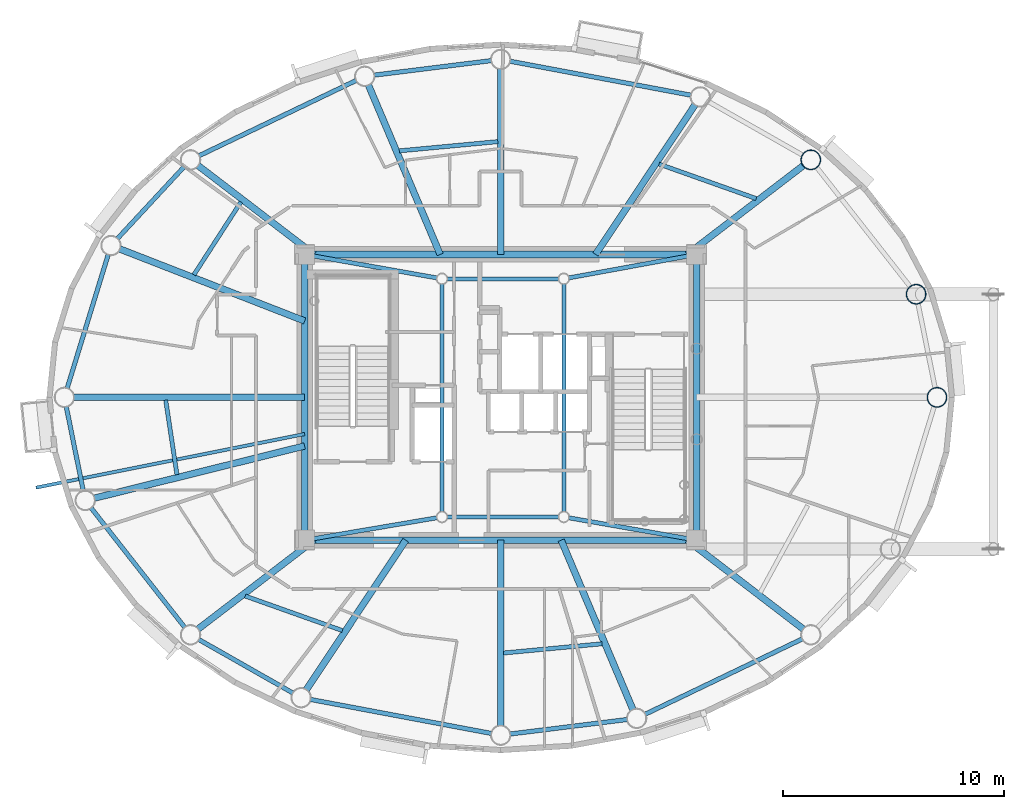
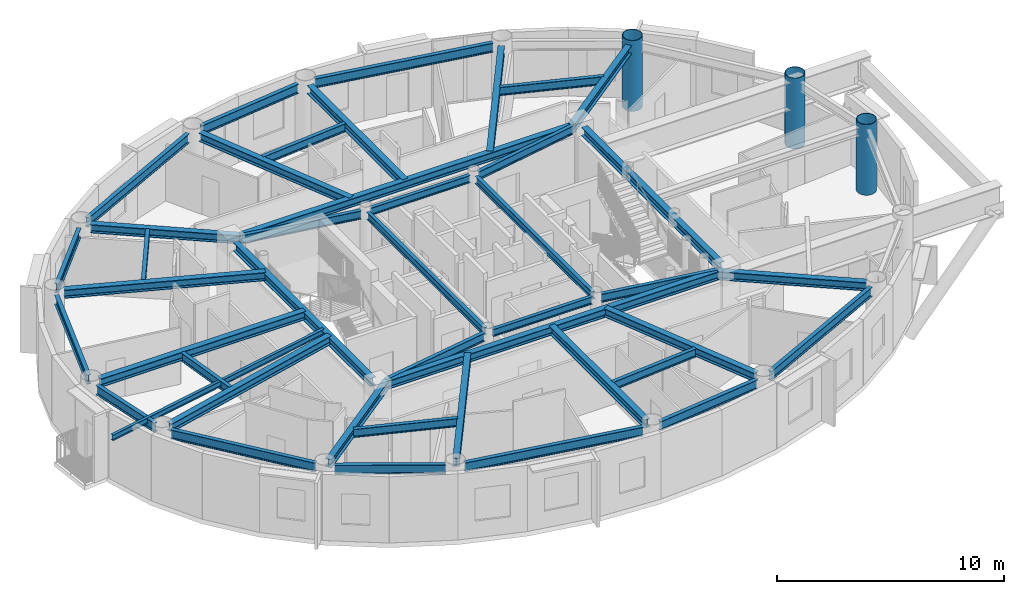
# One storey, part 2 of 17: 43 beams, 3 columns.
"""IFC4 building model written with IfcOpenShell, lengths in metres."""

import ifcopenshell
import ifcopenshell.guid

model = None  # the IFC model being written
_history = None  # IfcOwnerHistory: only IFC2X3 demands one
_inside = {}  # id of a spatial element -> (the spatial element, [elements in it])
_under = {}  # id of a project, library or spatial element -> (it, [spatial elements below it])
_declared = {}  # id of a project -> (the project, [libraries it declares])
_typed = {}  # id of a type object -> (the type object, [elements of that type])
_made_of = {}  # id of a material, layer set ... -> (it, [elements and type objects made of it])


def new_model(schema):
    """Start an empty IFC model of exactly this schema.

    Asked for "IFC4X3", IfcOpenShell would pick the latest addendum, in which some entities
    have other attributes; the version numbers below select the first issue.
    IFC2X3 requires an IfcOwnerHistory on every rooted entity: one is made here for all.
    """
    global model, _history
    if schema == "IFC4X3":
        model = ifcopenshell.file(schema_version=(4, 3, 0, 0))
    else:
        model = ifcopenshell.file(schema=schema)
    _inside.clear()
    _under.clear()
    _declared.clear()
    _typed.clear()
    _made_of.clear()
    _history = None
    if model.schema == "IFC2X3":
        org = make("IfcOrganization", Name="unknown")
        user = make(
            "IfcPersonAndOrganization",
            ThePerson=make("IfcPerson", FamilyName="unknown"),
            TheOrganization=org,
        )
        app = make(
            "IfcApplication",
            ApplicationDeveloper=org,
            Version="unknown",
            ApplicationFullName="unknown",
            ApplicationIdentifier="unknown",
        )
        _history = make(
            "IfcOwnerHistory",
            OwningUser=user,
            OwningApplication=app,
            ChangeAction="ADDED",
            CreationDate=0,
        )
    return model


def make(cls, **values):
    """One entity of the class cls with the attributes given. An attribute that is None is left unset."""
    return model.create_entity(
        cls, **{name: value for name, value in values.items() if value is not None}
    )


def rooted(cls, **values):
    """An entity with a GlobalId (a new one), such as an element, a storey or a relation."""
    return make(cls, GlobalId=ifcopenshell.guid.new(), OwnerHistory=_history, **values)


def si_unit(unit_type, name, prefix=None):
    """IfcSIUnit, for example si_unit("LENGTHUNIT", "METRE", prefix="MILLI")."""
    return make("IfcSIUnit", UnitType=unit_type, Prefix=prefix, Name=name)


def assignment(units):
    """IfcUnitAssignment: the units of a project."""
    return None if units is None else make("IfcUnitAssignment", Units=units)


def point(xyz):
    """IfcCartesianPoint."""
    return None if xyz is None else make("IfcCartesianPoint", Coordinates=xyz)


def direction(xyz):
    """IfcDirection."""
    return None if xyz is None else make("IfcDirection", DirectionRatios=xyz)


def frame(location, z_axis=None, x_axis=None):
    """IfcAxis2Placement3D, a coordinate frame: its origin and axes. An axis left out is left unset."""
    return make(
        "IfcAxis2Placement3D",
        Location=point(location),
        Axis=direction(z_axis),
        RefDirection=direction(x_axis),
    )


def frame_2d(location, x_axis=None):
    """IfcAxis2Placement2D, a coordinate frame in the plane: its origin and x axis."""
    return make(
        "IfcAxis2Placement2D", Location=point(location), RefDirection=direction(x_axis)
    )


def origin():
    """The frame at (0, 0, 0) with its axes left unset."""
    return frame((0.0, 0.0, 0.0))


def origin_2d():
    """The frame at (0, 0) in the plane with its x axis left unset."""
    return frame_2d((0.0, 0.0))


def place(relative_to, where):
    """IfcLocalPlacement: puts the frame where relative to a parent placement (None: the world)."""
    return make(
        "IfcLocalPlacement", PlacementRelTo=relative_to, RelativePlacement=where
    )


def context(
    kind, dimensions, precision=None, world=None, true_north=None, identifier=None
):
    """IfcGeometricRepresentationContext, for example the 3D "Model" context."""
    return make(
        "IfcGeometricRepresentationContext",
        ContextIdentifier=identifier,
        ContextType=kind,
        CoordinateSpaceDimension=dimensions,
        Precision=precision,
        WorldCoordinateSystem=world,
        TrueNorth=true_north,
    )


def subcontext(parent, identifier, kind, view, scale=None):
    """IfcGeometricRepresentationSubContext, for example "Body" below "Model"."""
    return make(
        "IfcGeometricRepresentationSubContext",
        ContextIdentifier=identifier,
        ContextType=kind,
        ParentContext=parent,
        TargetScale=scale,
        TargetView=view,
    )


def project(units=None, contexts=None):
    """IfcProject with its units and contexts."""
    return rooted(
        "IfcProject",
        Name="project",
        RepresentationContexts=contexts,
        UnitsInContext=assignment(units),
    )


def spatial(cls, under=None, at=None, **own):
    """A site, building, storey or space (cls), placed at a placement, below another one or the project."""
    s = rooted(cls, ObjectPlacement=at, **own)
    if under is not None:
        _under.setdefault(under.id(), (under, []))[1].append(s)
    return s


def profile(cls, at=None, kind="AREA", **sizes):
    """A parametric profile (cls). Its sizes go by their IFC names, for example OverallWidth=200.0."""
    return make(cls, ProfileType=kind, Position=at, **sizes)


def hollow_circle(**sizes):
    """IfcCircleHollowProfileDef."""
    return profile("IfcCircleHollowProfileDef", **sizes)


def i_section(**sizes):
    """IfcIShapeProfileDef."""
    return profile("IfcIShapeProfileDef", **sizes)


def extrude(swept, where, along, depth):
    """IfcExtrudedAreaSolid: the profile swept, set in the frame where, extruded along a direction by depth."""
    return make(
        "IfcExtrudedAreaSolid",
        SweptArea=swept,
        Position=where,
        ExtrudedDirection=direction(along),
        Depth=depth,
    )


def shape(context_of_items, identifier, shape_type, items):
    """IfcShapeRepresentation: the items that make up one representation, for example the "Body"."""
    return make(
        "IfcShapeRepresentation",
        ContextOfItems=context_of_items,
        RepresentationIdentifier=identifier,
        RepresentationType=shape_type,
        Items=items,
    )


def material(Name=None, Category=None):
    """IfcMaterial."""
    return make("IfcMaterial", Name=Name, Category=Category)


def material_profile(
    of_material, cross_section, Name=None, Category=None, Priority=None
):
    """IfcMaterialProfile: a cross section and its material."""
    return make(
        "IfcMaterialProfile",
        Name=Name,
        Material=of_material,
        Profile=cross_section,
        Priority=Priority,
        Category=Category,
    )


def profile_set(profiles, Name=None, composite=None):
    """IfcMaterialProfileSet."""
    return make(
        "IfcMaterialProfileSet",
        Name=Name,
        MaterialProfiles=profiles,
        CompositeProfile=composite,
    )


def made_of(thing, what):
    """Note that an element or type object is made of a material, layer set ...; save() writes the relation."""
    if what is not None:
        _made_of.setdefault(what.id(), (what, []))[1].append(thing)
    return thing


def type_object(cls, material=None, **own):
    """A type object (cls), such as IfcWallType, which elements share."""
    return made_of(rooted(cls, **own), material)


def element(
    cls,
    number,
    at=None,
    inside=None,
    cuts=None,
    type_object=None,
    material=None,
    context=None,
    identifier="Body",
    shape_type=None,
    held_by="IfcProductDefinitionShape",
    body=None,
    shapes=None,
    **own,
):
    """One element of the class cls, such as IfcWall. Its Tag is "e" and its number.

    at: its placement. inside: the storey or other place that contains it. cuts: it is an
    opening in that element (IfcRelVoidsElement). A single representation is given by context,
    identifier, shape_type and body (its items); several are given by shapes. held_by: the class
    of the entity that holds the representations. save() writes the other relations.
    """
    e = rooted(cls, Tag="e%d" % number, ObjectPlacement=at, **own)
    if body is not None:
        shapes = [shape(context, identifier, shape_type, body)]
    if shapes is not None:
        e.Representation = make(held_by, Representations=shapes)
    if inside is not None:
        _inside.setdefault(inside.id(), (inside, []))[1].append(e)
    if cuts is not None:
        rooted(
            "IfcRelVoidsElement", RelatingBuildingElement=cuts, RelatedOpeningElement=e
        )
    if type_object is not None:
        _typed.setdefault(type_object.id(), (type_object, []))[1].append(e)
    return made_of(e, material)


def aggregate(whole, parts):
    """IfcRelAggregates: a whole, such as a stair, and the parts it consists of."""
    return rooted("IfcRelAggregates", RelatingObject=whole, RelatedObjects=parts)


def save(model, path):
    """Write the relations noted so far, then the file.

    IfcRelAggregates (storeys below a building ...), IfcRelContainedInSpatialStructure (elements
    in a storey), IfcRelDefinesByType, IfcRelAssociatesMaterial and IfcRelDeclares: one each for
    every whole, place, type object, material and project.
    """
    for whole, parts in _under.values():
        aggregate(whole, parts)
    for where, things in _inside.values():
        rooted(
            "IfcRelContainedInSpatialStructure",
            RelatedElements=things,
            RelatingStructure=where,
        )
    for kind, things in _typed.values():
        rooted("IfcRelDefinesByType", RelatedObjects=things, RelatingType=kind)
    for what, things in _made_of.values():
        rooted("IfcRelAssociatesMaterial", RelatedObjects=things, RelatingMaterial=what)
    for by, libraries in _declared.values():
        rooted("IfcRelDeclares", RelatingContext=by, RelatedDefinitions=libraries)
    model.write(path)


model = new_model("IFC4")

# Units and contexts
model_context = context("Model", 3, precision=1e-05, world=origin(), true_north=direction((0.0, 1.0)))
body_context = subcontext(model_context, "Body", "Model", "MODEL_VIEW")
ifc_project = project(units=[si_unit("LENGTHUNIT", "METRE"), si_unit("AREAUNIT", "SQUARE_METRE"), si_unit("VOLUMEUNIT", "CUBIC_METRE"), si_unit("PLANEANGLEUNIT", "RADIAN"), si_unit("MASSUNIT", "GRAM", prefix="KILO")], contexts=[model_context])

# Site, building, storey
site_placement = place(None, origin())
site = spatial("IfcSite", under=ifc_project, at=site_placement, CompositionType="ELEMENT")
building_placement = place(site_placement, origin())
building = spatial("IfcBuilding", under=site, at=building_placement, Name="Linh Dai School and Residence Tower", CompositionType="ELEMENT")
storey_placement = place(building_placement, frame((0.0, 0.0, 335.39990234375)))
storey = spatial("IfcBuildingStorey", under=building, at=storey_placement, Name="L83", CompositionType="ELEMENT", Elevation=335.39990234375)

# Columns
ifc_material = material(Name="Structural Steel S355JR", Category="steel")
ifc_material_profile_1 = material_profile(ifc_material, hollow_circle(Radius=0.449951171875, WallThickness=0.028076171875, at=origin_2d()), Name="CHS 900x28")
ifc_profile_set_1 = profile_set([ifc_material_profile_1], Name="Structural Steel S355JR")
column_type = type_object("IfcColumnType", Name="COL-MC7", PredefinedType="COLUMN", material=ifc_profile_set_1)
for number, where, z_axis, x_axis, name in (
    (1, (55.699951171875, 27.0, 0.0), (0.0, 0.0, 1.0), (1.0, 0.0, 0.0), "L83 Perimeter CFT Mega-Column MC01"),
    (2, (54.7578125, 31.65478515625, 0.0), (0.0, 0.0, 1.0), (1.0, 0.0, 0.0), "L83 Perimeter CFT Mega-Column MC02"),
    (3, (50.00244140625, 37.72265625, 0.0), (0.0, 0.0, 1.0), (1.0, 0.0, 0.0), "L83 Perimeter CFT Mega-Column MC03"),
):
    element("IfcColumn", number, at=place(storey_placement, frame(where, z_axis=z_axis, x_axis=x_axis)), inside=storey, type_object=column_type, Name=name, PredefinedType="COLUMN", context=body_context, shape_type="SweptSolid", body=[
        extrude(hollow_circle(Radius=0.449951171875, WallThickness=0.028076171875, at=origin_2d()), origin(), (0.0, 0.0, 1.0), 3.800048828125),
    ])

# Beams
ifc_material_profile_2 = material_profile(ifc_material, i_section(OverallWidth=0.14990234375, OverallDepth=0.300048828125, WebThickness=0.007080078125, FlangeThickness=0.0107421875, at=origin_2d()), Name="IPE 300")
ifc_profile_set_2 = profile_set([ifc_material_profile_2], Name="Structural Steel S355JR")
beam_type_1 = type_object("IfcBeamType", Name="BM-BALC-CANT", PredefinedType="BEAM", material=ifc_profile_set_2)
beam_1_placement = place(storey_placement, frame((27.14990234375, 25.34228515625, 3.400146484375), z_axis=(-0.980695128079, -0.195543002335, 0.0), x_axis=(0.195543002335, -0.980695128079, 0.0)))
element("IfcBeam", 4, at=beam_1_placement, inside=storey, type_object=beam_type_1, Name="L84 Balcony Continuous Cantilever Beam 22", PredefinedType="BEAM", context=body_context, shape_type="SweptSolid", body=[
    extrude(i_section(OverallWidth=0.14990234375, OverallDepth=0.300048828125, WebThickness=0.007080078125, FlangeThickness=0.0107421875, at=origin_2d()), origin(), (0.0, 0.0, 1.0), 12.370361328125),
])
ifc_material_profile_3 = material_profile(ifc_material, i_section(OverallWidth=0.199951171875, OverallDepth=0.5, WebThickness=0.01025390625, FlangeThickness=0.01611328125, FilletRadius=0.02099609375, at=origin_2d()), Name="IPE 500")
ifc_profile_set_3 = profile_set([ifc_material_profile_3], Name="Structural Steel S355JR")
beam_type_2 = type_object("IfcBeamType", Name="BM-RB50", PredefinedType="BEAM", material=ifc_profile_set_3)
beam_2_placement = place(storey_placement, frame((44.597412109375, 40.6396484375, 3.300048828125), z_axis=(-0.98280175603, 0.184663771066, 0.0), x_axis=(-0.184663771066, -0.98280175603, 0.0)))
element("IfcBeam", 5, at=beam_2_placement, inside=storey, type_object=beam_type_2, Name="L83 Perimeter Elliptical Ring Beam 04", PredefinedType="BEAM", context=body_context, shape_type="SweptSolid", body=[
    extrude(i_section(OverallWidth=0.199951171875, OverallDepth=0.5, WebThickness=0.01025390625, FlangeThickness=0.01611328125, FilletRadius=0.02099609375, at=origin_2d()), origin(), (0.0, 0.0, 1.0), 8.327880859375),
])
beam_3_placement = place(storey_placement, frame((35.583251953125, 42.203369140625, 3.300048828125), z_axis=(-0.992398979221, -0.123062041428, 0.0), x_axis=(0.123062041428, -0.992398979221, 0.0)))
element("IfcBeam", 6, at=beam_3_placement, inside=storey, type_object=beam_type_2, Name="L83 Perimeter Elliptical Ring Beam 05", PredefinedType="BEAM", context=body_context, shape_type="SweptSolid", body=[
    extrude(i_section(OverallWidth=0.199951171875, OverallDepth=0.5, WebThickness=0.01025390625, FlangeThickness=0.01611328125, FilletRadius=0.02099609375, at=origin_2d()), origin(), (0.0, 0.0, 1.0), 5.344482421875),
])
beam_4_placement = place(storey_placement, frame((29.483642578125, 41.312255859375, 3.300048828125), z_axis=(-0.901701330417, -0.432359469335, 0.0), x_axis=(0.432359469335, -0.901701330417, 0.0)))
element("IfcBeam", 7, at=beam_4_placement, inside=storey, type_object=beam_type_2, Name="L83 Perimeter Elliptical Ring Beam 06", PredefinedType="BEAM", context=body_context, shape_type="SweptSolid", body=[
    extrude(i_section(OverallWidth=0.199951171875, OverallDepth=0.5, WebThickness=0.01025390625, FlangeThickness=0.01611328125, FilletRadius=0.02099609375, at=origin_2d()), origin(), (0.0, 0.0, 1.0), 7.88232421875),
])
beam_5_placement = place(storey_placement, frame((21.7119140625, 37.4150390625, 3.300048828125), z_axis=(-0.680339330162, -0.732897261446, 0.0), x_axis=(0.732897261446, -0.680339330162, 0.0)))
element("IfcBeam", 8, at=beam_5_placement, inside=storey, type_object=beam_type_2, Name="L83 Perimeter Elliptical Ring Beam 07", PredefinedType="BEAM", context=body_context, shape_type="SweptSolid", body=[
    extrude(i_section(OverallWidth=0.199951171875, OverallDepth=0.5, WebThickness=0.01025390625, FlangeThickness=0.01611328125, FilletRadius=0.02099609375, at=origin_2d()), origin(), (0.0, 0.0, 1.0), 4.440673828125),
])
beam_6_placement = place(storey_placement, frame((18.281494140625, 33.451171875, 3.300048828125), z_axis=(-0.293606003102, -0.955926521728, 0.0), x_axis=(0.955926521728, -0.293606003102, 0.0)))
element("IfcBeam", 9, at=beam_6_placement, inside=storey, type_object=beam_type_2, Name="L83 Perimeter Elliptical Ring Beam 08", PredefinedType="BEAM", context=body_context, shape_type="SweptSolid", body=[
    extrude(i_section(OverallWidth=0.199951171875, OverallDepth=0.5, WebThickness=0.01025390625, FlangeThickness=0.01611328125, FilletRadius=0.02099609375, at=origin_2d()), origin(), (0.0, 0.0, 1.0), 6.32861328125),
])
beam_7_placement = place(storey_placement, frame((16.38330078125, 26.58837890625, 3.300048828125), z_axis=(0.198409502721, -0.980119211744, 0.0), x_axis=(0.980119211744, 0.198409502721, 0.0)))
element("IfcBeam", 10, at=beam_7_placement, inside=storey, type_object=beam_type_2, Name="L83 Perimeter Elliptical Ring Beam 09", PredefinedType="BEAM", context=body_context, shape_type="SweptSolid", body=[
    extrude(i_section(OverallWidth=0.199951171875, OverallDepth=0.5, WebThickness=0.01025390625, FlangeThickness=0.01611328125, FilletRadius=0.02099609375, at=origin_2d()), origin(), (0.0, 0.0, 1.0), 3.9091796875),
])
beam_8_placement = place(storey_placement, frame((17.501220703125, 22.0146484375, 3.300048828125), z_axis=(0.616844770958, -0.787084829318, 0.0), x_axis=(0.787084829318, 0.616844770958, 0.0)))
element("IfcBeam", 11, at=beam_8_placement, inside=storey, type_object=beam_type_2, Name="L83 Perimeter Elliptical Ring Beam 10", PredefinedType="BEAM", context=body_context, shape_type="SweptSolid", body=[
    extrude(i_section(OverallWidth=0.199951171875, OverallDepth=0.5, WebThickness=0.01025390625, FlangeThickness=0.01611328125, FilletRadius=0.02099609375, at=origin_2d()), origin(), (0.0, 0.0, 1.0), 6.869384765625),
])
beam_9_placement = place(storey_placement, frame((22.362548828125, 16.069580078125, 3.300048828125), z_axis=(0.86923725405, -0.494395182189, 0.0), x_axis=(0.494395182189, 0.86923725405, 0.0)))
element("IfcBeam", 12, at=beam_9_placement, inside=storey, type_object=beam_type_2, Name="L83 Perimeter Elliptical Ring Beam 11", PredefinedType="BEAM", context=body_context, shape_type="SweptSolid", body=[
    extrude(i_section(OverallWidth=0.199951171875, OverallDepth=0.5, WebThickness=0.01025390625, FlangeThickness=0.01611328125, FilletRadius=0.02099609375, at=origin_2d()), origin(), (0.0, 0.0, 1.0), 4.903076171875),
])
beam_10_placement = place(storey_placement, frame((27.402587890625, 13.3603515625, 3.300048828125), z_axis=(0.98280175603, -0.184663771066, 0.0), x_axis=(0.184663771066, 0.98280175603, 0.0)))
element("IfcBeam", 13, at=beam_10_placement, inside=storey, type_object=beam_type_2, Name="L83 Perimeter Elliptical Ring Beam 12", PredefinedType="BEAM", context=body_context, shape_type="SweptSolid", body=[
    extrude(i_section(OverallWidth=0.199951171875, OverallDepth=0.5, WebThickness=0.01025390625, FlangeThickness=0.01611328125, FilletRadius=0.02099609375, at=origin_2d()), origin(), (0.0, 0.0, 1.0), 8.327880859375),
])
beam_11_placement = place(storey_placement, frame((36.416748046875, 11.796630859375, 3.300048828125), z_axis=(0.992398979221, 0.123062041428, 0.0), x_axis=(-0.123062041428, 0.992398979221, 0.0)))
element("IfcBeam", 14, at=beam_11_placement, inside=storey, type_object=beam_type_2, Name="L83 Perimeter Elliptical Ring Beam 13", PredefinedType="BEAM", context=body_context, shape_type="SweptSolid", body=[
    extrude(i_section(OverallWidth=0.199951171875, OverallDepth=0.5, WebThickness=0.01025390625, FlangeThickness=0.01611328125, FilletRadius=0.02099609375, at=origin_2d()), origin(), (0.0, 0.0, 1.0), 5.344482421875),
])
beam_12_placement = place(storey_placement, frame((42.516357421875, 12.687744140625, 3.300048828125), z_axis=(0.901701330417, 0.432359469335, 0.0), x_axis=(-0.432359469335, 0.901701330417, 0.0)))
element("IfcBeam", 15, at=beam_12_placement, inside=storey, type_object=beam_type_2, Name="L83 Perimeter Elliptical Ring Beam 14", PredefinedType="BEAM", context=body_context, shape_type="SweptSolid", body=[
    extrude(i_section(OverallWidth=0.199951171875, OverallDepth=0.5, WebThickness=0.01025390625, FlangeThickness=0.01611328125, FilletRadius=0.02099609375, at=origin_2d()), origin(), (0.0, 0.0, 1.0), 7.88232421875),
])
ifc_material_profile_4 = material_profile(ifc_material, i_section(OverallWidth=0.300048828125, OverallDepth=0.449951171875, WebThickness=0.013916015625, FlangeThickness=0.02587890625, FilletRadius=0.027099609375, at=origin_2d()), Name="HEB 450")
ifc_profile_set_4 = profile_set([ifc_material_profile_4], Name="Structural Steel S355JR")
beam_type_3 = type_object("IfcBeamType", Name="BM-RG45", PredefinedType="BEAM", material=ifc_profile_set_4)
beam_13_placement = place(storey_placement, frame((27.570068359375, 20.550048828125, 3.3251953125), z_axis=(1.0, 0.0, 0.0), x_axis=(0.0, 1.0, 0.0)))
element("IfcBeam", 16, at=beam_13_placement, inside=storey, type_object=beam_type_3, Name="L83 Core Perimeter Coupling Girder 1", PredefinedType="BEAM", context=body_context, shape_type="SweptSolid", body=[
    extrude(i_section(OverallWidth=0.300048828125, OverallDepth=0.449951171875, WebThickness=0.013916015625, FlangeThickness=0.02587890625, FilletRadius=0.027099609375, at=origin_2d()), origin(), (0.0, 0.0, 1.0), 16.85986328125),
])
beam_14_placement = place(storey_placement, frame((44.85009765625, 20.969970703125, 3.3251953125), z_axis=(0.0, 1.0, 0.0), x_axis=(-1.0, 0.0, 0.0)))
element("IfcBeam", 17, at=beam_14_placement, inside=storey, type_object=beam_type_3, Name="L83 Core Perimeter Coupling Girder 2", PredefinedType="BEAM", context=body_context, shape_type="SweptSolid", body=[
    extrude(i_section(OverallWidth=0.300048828125, OverallDepth=0.449951171875, WebThickness=0.013916015625, FlangeThickness=0.02587890625, FilletRadius=0.027099609375, at=origin_2d()), origin(), (0.0, 0.0, 1.0), 12.06005859375),
])
beam_15_placement = place(storey_placement, frame((44.429931640625, 33.449951171875, 3.3251953125), z_axis=(-1.0, 0.0, 0.0), x_axis=(0.0, -1.0, 0.0)))
element("IfcBeam", 18, at=beam_15_placement, inside=storey, type_object=beam_type_3, Name="L83 Core Perimeter Coupling Girder 3", PredefinedType="BEAM", context=body_context, shape_type="SweptSolid", body=[
    extrude(i_section(OverallWidth=0.300048828125, OverallDepth=0.449951171875, WebThickness=0.013916015625, FlangeThickness=0.02587890625, FilletRadius=0.027099609375, at=origin_2d()), origin(), (0.0, 0.0, 1.0), 16.85986328125),
])
beam_16_placement = place(storey_placement, frame((27.14990234375, 33.030029296875, 3.3251953125), z_axis=(0.0, -1.0, 0.0), x_axis=(1.0, 0.0, 0.0)))
element("IfcBeam", 19, at=beam_16_placement, inside=storey, type_object=beam_type_3, Name="L83 Core Perimeter Coupling Girder 4", PredefinedType="BEAM", context=body_context, shape_type="SweptSolid", body=[
    extrude(i_section(OverallWidth=0.300048828125, OverallDepth=0.449951171875, WebThickness=0.013916015625, FlangeThickness=0.02587890625, FilletRadius=0.027099609375, at=origin_2d()), origin(), (0.0, 0.0, 1.0), 12.06005859375),
])
beam_17_placement = place(storey_placement, frame((44.4228515625, 33.449951171875, 3.3251953125), z_axis=(0.793929753809, 0.608009495006, 0.0), x_axis=(-0.608009495006, 0.793929753809, 0.0)))
element("IfcBeam", 20, at=beam_17_placement, inside=storey, type_object=beam_type_3, Name="L83 Primary Radial Floor Girder 03", PredefinedType="BEAM", context=body_context, shape_type="SweptSolid", body=[
    extrude(i_section(OverallWidth=0.300048828125, OverallDepth=0.449951171875, WebThickness=0.013916015625, FlangeThickness=0.02587890625, FilletRadius=0.027099609375, at=origin_2d()), origin(), (0.0, 0.0, 1.0), 6.607666015625),
])
beam_18_placement = place(storey_placement, frame((40.28515625, 33.449951171875, 3.3251953125), z_axis=(0.553380967678, 0.832928270989, 0.0), x_axis=(-0.832928270989, 0.553380967678, 0.0)))
element("IfcBeam", 21, at=beam_18_placement, inside=storey, type_object=beam_type_3, Name="L83 Primary Radial Floor Girder 04", PredefinedType="BEAM", context=body_context, shape_type="SweptSolid", body=[
    extrude(i_section(OverallWidth=0.300048828125, OverallDepth=0.449951171875, WebThickness=0.013916015625, FlangeThickness=0.02587890625, FilletRadius=0.027099609375, at=origin_2d()), origin(), (0.0, 0.0, 1.0), 8.11865234375),
])
beam_19_placement = place(storey_placement, frame((36.0, 33.449951171875, 3.3251953125), z_axis=(0.0, 1.0, 0.0), x_axis=(-1.0, 0.0, 0.0)))
element("IfcBeam", 22, at=beam_19_placement, inside=storey, type_object=beam_type_3, Name="L83 Primary Radial Floor Girder 05", PredefinedType="BEAM", context=body_context, shape_type="SweptSolid", body=[
    extrude(i_section(OverallWidth=0.300048828125, OverallDepth=0.449951171875, WebThickness=0.013916015625, FlangeThickness=0.02587890625, FilletRadius=0.027099609375, at=origin_2d()), origin(), (0.0, 0.0, 1.0), 8.385009765625),
])
beam_20_placement = place(storey_placement, frame((33.268798828125, 33.449951171875, 3.3251953125), z_axis=(-0.389954119501, 0.920834287309, 0.0), x_axis=(-0.920834287309, -0.389954119501, 0.0)))
element("IfcBeam", 23, at=beam_20_placement, inside=storey, type_object=beam_type_3, Name="L83 Primary Radial Floor Girder 06", PredefinedType="BEAM", context=body_context, shape_type="SweptSolid", body=[
    extrude(i_section(OverallWidth=0.300048828125, OverallDepth=0.449951171875, WebThickness=0.013916015625, FlangeThickness=0.02587890625, FilletRadius=0.027099609375, at=origin_2d()), origin(), (0.0, 0.0, 1.0), 8.3154296875),
])
beam_21_placement = place(storey_placement, frame((27.5771484375, 33.449951171875, 3.3251953125), z_axis=(-0.793929753809, 0.608009495006, 0.0), x_axis=(-0.608009495006, -0.793929753809, 0.0)))
element("IfcBeam", 24, at=beam_21_placement, inside=storey, type_object=beam_type_3, Name="L83 Primary Radial Floor Girder 07", PredefinedType="BEAM", context=body_context, shape_type="SweptSolid", body=[
    extrude(i_section(OverallWidth=0.300048828125, OverallDepth=0.449951171875, WebThickness=0.013916015625, FlangeThickness=0.02587890625, FilletRadius=0.027099609375, at=origin_2d()), origin(), (0.0, 0.0, 1.0), 6.607666015625),
])
beam_22_placement = place(storey_placement, frame((27.14990234375, 30.44677734375, 3.3251953125), z_axis=(-0.931822607816, 0.362914077384, 0.0), x_axis=(-0.362914077384, -0.931822607816, 0.0)))
element("IfcBeam", 25, at=beam_22_placement, inside=storey, type_object=beam_type_3, Name="L83 Primary Radial Floor Girder 08", PredefinedType="BEAM", context=body_context, shape_type="SweptSolid", body=[
    extrude(i_section(OverallWidth=0.300048828125, OverallDepth=0.449951171875, WebThickness=0.013916015625, FlangeThickness=0.02587890625, FilletRadius=0.027099609375, at=origin_2d()), origin(), (0.0, 0.0, 1.0), 8.964599609375),
])
beam_23_placement = place(storey_placement, frame((27.14990234375, 27.0, 3.3251953125), z_axis=(-1.0, 0.0, 0.0), x_axis=(0.0, -1.0, 0.0)))
element("IfcBeam", 26, at=beam_23_placement, inside=storey, type_object=beam_type_3, Name="L83 Primary Radial Floor Girder 09", PredefinedType="BEAM", context=body_context, shape_type="SweptSolid", body=[
    extrude(i_section(OverallWidth=0.300048828125, OverallDepth=0.449951171875, WebThickness=0.013916015625, FlangeThickness=0.02587890625, FilletRadius=0.027099609375, at=origin_2d()), origin(), (0.0, 0.0, 1.0), 10.429931640625),
])
beam_24_placement = place(storey_placement, frame((27.14990234375, 24.803955078125, 3.3251953125), z_axis=(-0.970563583495, -0.24084503398, 0.0), x_axis=(0.24084503398, -0.970563583495, 0.0)))
element("IfcBeam", 27, at=beam_24_placement, inside=storey, type_object=beam_type_3, Name="L83 Primary Radial Floor Girder 10", PredefinedType="BEAM", context=body_context, shape_type="SweptSolid", body=[
    extrude(i_section(OverallWidth=0.300048828125, OverallDepth=0.449951171875, WebThickness=0.013916015625, FlangeThickness=0.02587890625, FilletRadius=0.027099609375, at=origin_2d()), origin(), (0.0, 0.0, 1.0), 9.7880859375),
])
beam_25_placement = place(storey_placement, frame((27.5771484375, 20.550048828125, 3.3251953125), z_axis=(-0.793929753809, -0.608009495006, 0.0), x_axis=(0.608009495006, -0.793929753809, 0.0)))
element("IfcBeam", 28, at=beam_25_placement, inside=storey, type_object=beam_type_3, Name="L83 Primary Radial Floor Girder 11", PredefinedType="BEAM", context=body_context, shape_type="SweptSolid", body=[
    extrude(i_section(OverallWidth=0.300048828125, OverallDepth=0.449951171875, WebThickness=0.013916015625, FlangeThickness=0.02587890625, FilletRadius=0.027099609375, at=origin_2d()), origin(), (0.0, 0.0, 1.0), 6.607666015625),
])
beam_26_placement = place(storey_placement, frame((31.71484375, 20.550048828125, 3.3251953125), z_axis=(-0.553380967678, -0.832928270989, 0.0), x_axis=(0.832928270989, -0.553380967678, 0.0)))
element("IfcBeam", 29, at=beam_26_placement, inside=storey, type_object=beam_type_3, Name="L83 Primary Radial Floor Girder 12", PredefinedType="BEAM", context=body_context, shape_type="SweptSolid", body=[
    extrude(i_section(OverallWidth=0.300048828125, OverallDepth=0.449951171875, WebThickness=0.013916015625, FlangeThickness=0.02587890625, FilletRadius=0.027099609375, at=origin_2d()), origin(), (0.0, 0.0, 1.0), 8.11865234375),
])
beam_27_placement = place(storey_placement, frame((36.0, 20.550048828125, 3.3251953125), z_axis=(0.0, -1.0, 0.0), x_axis=(1.0, 0.0, 0.0)))
element("IfcBeam", 30, at=beam_27_placement, inside=storey, type_object=beam_type_3, Name="L83 Primary Radial Floor Girder 13", PredefinedType="BEAM", context=body_context, shape_type="SweptSolid", body=[
    extrude(i_section(OverallWidth=0.300048828125, OverallDepth=0.449951171875, WebThickness=0.013916015625, FlangeThickness=0.02587890625, FilletRadius=0.027099609375, at=origin_2d()), origin(), (0.0, 0.0, 1.0), 8.385009765625),
])
beam_28_placement = place(storey_placement, frame((38.731201171875, 20.550048828125, 3.3251953125), z_axis=(0.389954119501, -0.920834287309, 0.0), x_axis=(0.920834287309, 0.389954119501, 0.0)))
element("IfcBeam", 31, at=beam_28_placement, inside=storey, type_object=beam_type_3, Name="L83 Primary Radial Floor Girder 14", PredefinedType="BEAM", context=body_context, shape_type="SweptSolid", body=[
    extrude(i_section(OverallWidth=0.300048828125, OverallDepth=0.449951171875, WebThickness=0.013916015625, FlangeThickness=0.02587890625, FilletRadius=0.027099609375, at=origin_2d()), origin(), (0.0, 0.0, 1.0), 8.3154296875),
])
beam_29_placement = place(storey_placement, frame((44.4228515625, 20.550048828125, 3.3251953125), z_axis=(0.793929753809, -0.608009495006, 0.0), x_axis=(0.608009495006, 0.793929753809, 0.0)))
element("IfcBeam", 32, at=beam_29_placement, inside=storey, type_object=beam_type_3, Name="L83 Primary Radial Floor Girder 15", PredefinedType="BEAM", context=body_context, shape_type="SweptSolid", body=[
    extrude(i_section(OverallWidth=0.300048828125, OverallDepth=0.449951171875, WebThickness=0.013916015625, FlangeThickness=0.02587890625, FilletRadius=0.027099609375, at=origin_2d()), origin(), (0.0, 0.0, 1.0), 6.607666015625),
])
ifc_material_profile_5 = material_profile(ifc_material, i_section(OverallWidth=0.179931640625, OverallDepth=0.39990234375, WebThickness=0.008544921875, FlangeThickness=0.013427734375, FilletRadius=0.02099609375, at=origin_2d()), Name="IPE 400")
ifc_profile_set_5 = profile_set([ifc_material_profile_5], Name="Structural Steel S355JR")
beam_type_4 = type_object("IfcBeamType", Name="BM-SB40", PredefinedType="BEAM", material=ifc_profile_set_5)
beam_30_placement = place(storey_placement, frame((33.573974609375, 21.60009765625, 3.35009765625), z_axis=(1.0, 0.0, 0.0), x_axis=(0.0, 1.0, 0.0)))
element("IfcBeam", 33, at=beam_30_placement, inside=storey, type_object=beam_type_4, Name="L83 Core Mast Pier Tie Beam 1", PredefinedType="BEAM", context=body_context, shape_type="SweptSolid", body=[
    extrude(i_section(OverallWidth=0.179931640625, OverallDepth=0.39990234375, WebThickness=0.008544921875, FlangeThickness=0.013427734375, FilletRadius=0.02099609375, at=origin_2d()), origin(), (0.0, 0.0, 1.0), 5.052001953125),
])
beam_31_placement = place(storey_placement, frame((38.85009765625, 21.823974609375, 3.35009765625), z_axis=(0.0, 1.0, 0.0), x_axis=(-1.0, 0.0, 0.0)))
element("IfcBeam", 34, at=beam_31_placement, inside=storey, type_object=beam_type_4, Name="L83 Core Mast Pier Tie Beam 2", PredefinedType="BEAM", context=body_context, shape_type="SweptSolid", body=[
    extrude(i_section(OverallWidth=0.179931640625, OverallDepth=0.39990234375, WebThickness=0.008544921875, FlangeThickness=0.013427734375, FilletRadius=0.02099609375, at=origin_2d()), origin(), (0.0, 0.0, 1.0), 10.302001953125),
])
beam_32_placement = place(storey_placement, frame((38.6259765625, 32.35009765625, 3.35009765625), z_axis=(-1.0, 0.0, 0.0), x_axis=(0.0, -1.0, 0.0)))
element("IfcBeam", 35, at=beam_32_placement, inside=storey, type_object=beam_type_4, Name="L83 Core Mast Pier Tie Beam 3", PredefinedType="BEAM", context=body_context, shape_type="SweptSolid", body=[
    extrude(i_section(OverallWidth=0.179931640625, OverallDepth=0.39990234375, WebThickness=0.008544921875, FlangeThickness=0.013427734375, FilletRadius=0.02099609375, at=origin_2d()), origin(), (0.0, 0.0, 1.0), 5.052001953125),
])
beam_33_placement = place(storey_placement, frame((33.35009765625, 32.1259765625, 3.35009765625), z_axis=(0.0, -1.0, 0.0), x_axis=(1.0, 0.0, 0.0)))
element("IfcBeam", 36, at=beam_33_placement, inside=storey, type_object=beam_type_4, Name="L83 Core Mast Pier Tie Beam 4", PredefinedType="BEAM", context=body_context, shape_type="SweptSolid", body=[
    extrude(i_section(OverallWidth=0.179931640625, OverallDepth=0.39990234375, WebThickness=0.008544921875, FlangeThickness=0.013427734375, FilletRadius=0.02099609375, at=origin_2d()), origin(), (0.0, 0.0, 1.0), 10.302001953125),
])
ifc_material_profile_6 = material_profile(ifc_material, i_section(OverallWidth=0.18994140625, OverallDepth=0.449951171875, WebThickness=0.009521484375, FlangeThickness=0.0146484375, FilletRadius=0.02099609375, at=origin_2d()), Name="IPE 450")
ifc_profile_set_6 = profile_set([ifc_material_profile_6], Name="Structural Steel S355JR")
beam_type_5 = type_object("IfcBeamType", Name="BM-SB45", PredefinedType="BEAM", material=ifc_profile_set_6)
beam_34_placement = place(storey_placement, frame((27.564208984375, 20.6201171875, 3.3251953125), z_axis=(0.98596270559, 0.166965694638, 0.0), x_axis=(-0.166965694638, 0.98596270559, 0.0)))
element("IfcBeam", 37, at=beam_34_placement, inside=storey, type_object=beam_type_5, Name="L83 Core Corner-to-Mast Pier Beam 1", PredefinedType="BEAM", context=body_context, shape_type="SweptSolid", body=[
    extrude(i_section(OverallWidth=0.18994140625, OverallDepth=0.449951171875, WebThickness=0.009521484375, FlangeThickness=0.0146484375, FilletRadius=0.02099609375, at=origin_2d()), origin(), (0.0, 0.0, 1.0), 5.644287109375),
])
beam_35_placement = place(storey_placement, frame((44.436279296875, 20.622314453125, 3.3251953125), z_axis=(-0.985031608673, 0.17237380867, 0.0), x_axis=(-0.17237380867, -0.985031608673, 0.0)))
element("IfcBeam", 38, at=beam_35_placement, inside=storey, type_object=beam_type_5, Name="L83 Core Corner-to-Mast Pier Beam 2", PredefinedType="BEAM", context=body_context, shape_type="SweptSolid", body=[
    extrude(i_section(OverallWidth=0.18994140625, OverallDepth=0.449951171875, WebThickness=0.009521484375, FlangeThickness=0.0146484375, FilletRadius=0.02099609375, at=origin_2d()), origin(), (0.0, 0.0, 1.0), 5.447265625),
])
beam_36_placement = place(storey_placement, frame((44.436767578125, 33.374267578125, 3.3251953125), z_axis=(-0.983605366802, -0.180334362777, 0.0), x_axis=(0.180334362777, -0.983605366802, 0.0)))
element("IfcBeam", 39, at=beam_36_placement, inside=storey, type_object=beam_type_5, Name="L83 Core Corner-to-Mast Pier Beam 3", PredefinedType="BEAM", context=body_context, shape_type="SweptSolid", body=[
    extrude(i_section(OverallWidth=0.18994140625, OverallDepth=0.449951171875, WebThickness=0.009521484375, FlangeThickness=0.0146484375, FilletRadius=0.02099609375, at=origin_2d()), origin(), (0.0, 0.0, 1.0), 5.455810546875),
])
beam_37_placement = place(storey_placement, frame((27.5634765625, 33.376708984375, 3.3251953125), z_axis=(0.984621828197, -0.174699328672, 0.0), x_axis=(0.174699328672, 0.984621828197, 0.0)))
element("IfcBeam", 40, at=beam_37_placement, inside=storey, type_object=beam_type_5, Name="L83 Core Corner-to-Mast Pier Beam 4", PredefinedType="BEAM", context=body_context, shape_type="SweptSolid", body=[
    extrude(i_section(OverallWidth=0.18994140625, OverallDepth=0.449951171875, WebThickness=0.009521484375, FlangeThickness=0.0146484375, FilletRadius=0.02099609375, at=origin_2d()), origin(), (0.0, 0.0, 1.0), 5.65283203125),
])
beam_38_placement = place(storey_placement, frame((47.536376953125, 35.9716796875, 3.3251953125), z_axis=(-0.942243736347, 0.334927964366, 0.0), x_axis=(-0.334927964366, -0.942243736347, 0.0)))
element("IfcBeam", 41, at=beam_38_placement, inside=storey, type_object=beam_type_5, Name="L83 Secondary Circumferential Floor Beam 02", PredefinedType="BEAM", context=body_context, shape_type="SweptSolid", body=[
    extrude(i_section(OverallWidth=0.18994140625, OverallDepth=0.449951171875, WebThickness=0.009521484375, FlangeThickness=0.0146484375, FilletRadius=0.02099609375, at=origin_2d()), origin(), (0.0, 0.0, 1.0), 4.6572265625),
])
beam_39_placement = place(storey_placement, frame((35.87060546875, 38.544677734375, 3.3251953125), z_axis=(-0.995634384765, -0.093339015817, 0.0), x_axis=(0.093339015817, -0.995634384765, 0.0)))
element("IfcBeam", 42, at=beam_39_placement, inside=storey, type_object=beam_type_5, Name="L83 Secondary Circumferential Floor Beam 03", PredefinedType="BEAM", context=body_context, shape_type="SweptSolid", body=[
    extrude(i_section(OverallWidth=0.18994140625, OverallDepth=0.449951171875, WebThickness=0.009521484375, FlangeThickness=0.0146484375, FilletRadius=0.02099609375, at=origin_2d()), origin(), (0.0, 0.0, 1.0), 4.467529296875),
])
beam_40_placement = place(storey_placement, frame((24.2705078125, 35.819091796875, 3.3251953125), z_axis=(-0.54228601876, -0.840193950143, 0.0), x_axis=(0.840193950143, -0.54228601876, 0.0)))
element("IfcBeam", 43, at=beam_40_placement, inside=storey, type_object=beam_type_5, Name="L83 Secondary Circumferential Floor Beam 04", PredefinedType="BEAM", context=body_context, shape_type="SweptSolid", body=[
    extrude(i_section(OverallWidth=0.18994140625, OverallDepth=0.449951171875, WebThickness=0.009521484375, FlangeThickness=0.0146484375, FilletRadius=0.02099609375, at=origin_2d()), origin(), (0.0, 0.0, 1.0), 3.9130859375),
])
beam_41_placement = place(storey_placement, frame((20.87646484375, 26.871337890625, 3.3251953125), z_axis=(0.149150785005, -0.988814463553, 0.0), x_axis=(0.988814463553, 0.149150785005, 0.0)))
element("IfcBeam", 44, at=beam_41_placement, inside=storey, type_object=beam_type_5, Name="L83 Secondary Circumferential Floor Beam 05", PredefinedType="BEAM", context=body_context, shape_type="SweptSolid", body=[
    extrude(i_section(OverallWidth=0.18994140625, OverallDepth=0.449951171875, WebThickness=0.009521484375, FlangeThickness=0.0146484375, FilletRadius=0.02099609375, at=origin_2d()), origin(), (0.0, 0.0, 1.0), 3.403076171875),
])
beam_42_placement = place(storey_placement, frame((24.463623046875, 18.0283203125, 3.3251953125), z_axis=(0.942243736347, -0.334927964366, 0.0), x_axis=(0.334927964366, 0.942243736347, 0.0)))
element("IfcBeam", 45, at=beam_42_placement, inside=storey, type_object=beam_type_5, Name="L83 Secondary Circumferential Floor Beam 06", PredefinedType="BEAM", context=body_context, shape_type="SweptSolid", body=[
    extrude(i_section(OverallWidth=0.18994140625, OverallDepth=0.449951171875, WebThickness=0.009521484375, FlangeThickness=0.0146484375, FilletRadius=0.02099609375, at=origin_2d()), origin(), (0.0, 0.0, 1.0), 4.6572265625),
])
beam_43_placement = place(storey_placement, frame((36.12939453125, 15.455322265625, 3.3251953125), z_axis=(0.995634384765, 0.093339015817, 0.0), x_axis=(-0.093339015817, 0.995634384765, 0.0)))
element("IfcBeam", 46, at=beam_43_placement, inside=storey, type_object=beam_type_5, Name="L83 Secondary Circumferential Floor Beam 07", PredefinedType="BEAM", context=body_context, shape_type="SweptSolid", body=[
    extrude(i_section(OverallWidth=0.18994140625, OverallDepth=0.449951171875, WebThickness=0.009521484375, FlangeThickness=0.0146484375, FilletRadius=0.02099609375, at=origin_2d()), origin(), (0.0, 0.0, 1.0), 4.467529296875),
])

save(model, "model.ifc")
